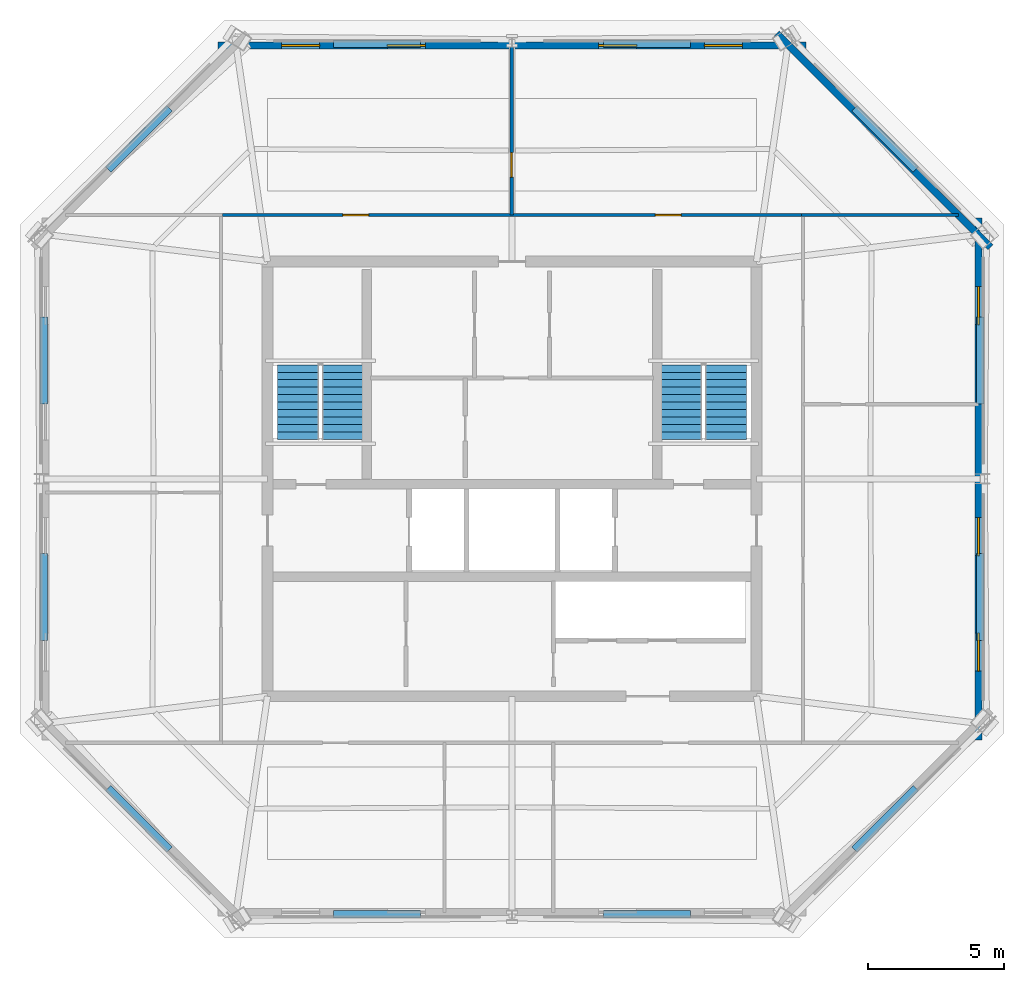
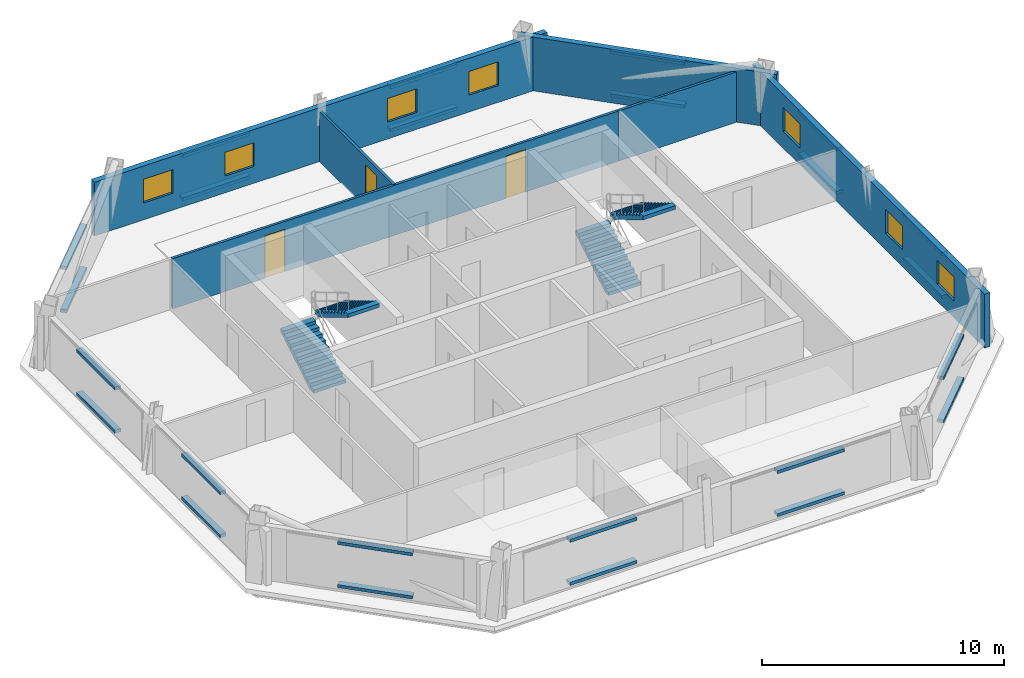
# One storey, part 4 of 5: 24 discrete accessories, 7 windows, 6 walls, 4 stair flights, 3 doors, 10 openings, 2 elements without a shape of their own.
"""IFC4 building model written with IfcOpenShell, lengths in metres."""

from ifc_helpers import new_model, si_unit, direction, frame, frame_2d, origin, origin_2d, place, context, subcontext, project, spatial, polyline, rectangle, outline, extrude, material, layer, layer_set, type_object, element, fill, aggregate, save


model = new_model("IFC4")

# Units and contexts
model_context = context("Model", 3, precision=1e-05, world=origin(), true_north=direction((0.0, 1.0)))
body_context = subcontext(model_context, "Body", "Model", "MODEL_VIEW")
ifc_project = project(units=[si_unit("LENGTHUNIT", "METRE"), si_unit("AREAUNIT", "SQUARE_METRE"), si_unit("VOLUMEUNIT", "CUBIC_METRE"), si_unit("PLANEANGLEUNIT", "RADIAN"), si_unit("MASSUNIT", "GRAM", prefix="KILO")], contexts=[model_context])

# Site, building, storey
site_placement = place(None, origin())
site = spatial("IfcSite", under=ifc_project, at=site_placement, CompositionType="ELEMENT")
building_placement = place(site_placement, origin())
building = spatial("IfcBuilding", under=site, at=building_placement, Name="Caelvoria Tower", CompositionType="ELEMENT")
storey_placement = place(building_placement, frame((0.0, 0.0, 275.39990234375)))
storey = spatial("IfcBuildingStorey", under=building, at=storey_placement, Name="L73", CompositionType="ELEMENT", Elevation=275.39990234375)

# Wall, opening, door
ifc_material_1 = material(Name="Acoustic Gypsum Board on Light-Gauge Stud", Category="gypsum")
ifc_layer_1 = layer(ifc_material_1, 0.1201171875, Name="Acoustic Gypsum Board on Light-Gauge Stud")
ifc_layer_set_1 = layer_set([ifc_layer_1], Name="Tenant Suite Acoustic Partition Wall 120 - Acoustic Gypsum Board on Light-Gauge Stud")
wall_type_1 = type_object("IfcWallType", Name="Tenant Suite Acoustic Partition Wall 120", PredefinedType="PARTITIONING", material=ifc_layer_set_1)
wall_1_placement = place(storey_placement, frame((45.9873046875, 41.7099609375, 0.0), z_axis=(0.0, 0.0, 1.0), x_axis=(0.0, 1.0, 0.0)))
wall_1 = element("IfcWall", 1, at=wall_1_placement, inside=storey, type_object=wall_type_1, Name="Interior Partition IW-L73-ND-00-0", PredefinedType="PARTITIONING", context=body_context, shape_type="SweptSolid", body=[
    extrude(rectangle(XDim=6.240966796875, YDim=0.1201171875, at=frame_2d((3.12060546875, 0.0))), origin(), (0.0, 0.0, 1.0), 2.5400390625),
])
opening_1_placement = place(wall_1_placement, frame((1.39990234375, 0.0, 0.0)))
opening_1 = element("IfcOpeningElement", 2, at=opening_1_placement, cuts=wall_1, Name="Opening ID-06", PredefinedType="OPENING", context=body_context, shape_type="SweptSolid", body=[
    extrude(rectangle(XDim=0.89990234375, YDim=2.14990234375, at=frame_2d((0.449951171875, 1.074951171875))), frame((0.0, 0.070068359375, 0.0), z_axis=(0.0, -1.0, 0.0), x_axis=(1.0, 0.0, 0.0)), (0.0, 0.0, 1.0), 0.14013671875),
])
ifc_material_2 = material(Name="Engineered Andean Oak Veneer Door", Category="wood")
door_type_1 = type_object("IfcDoorType", Name="Interior Timber Door 900x2150", OperationType="NOTDEFINED", PredefinedType="DOOR", material=ifc_material_2)
door_1_placement = place(opening_1_placement, origin())
door_1 = element("IfcDoor", 3, at=door_1_placement, inside=storey, type_object=door_type_1, Name="Interior Door DR-L73-NM-00-0", OperationType="SINGLE_SWING_RIGHT", OverallHeight=2.14990234375, OverallWidth=0.89990234375, PredefinedType="DOOR", context=body_context, shape_type="SweptSolid", body=[
    extrude(rectangle(XDim=0.89990234375, YDim=2.14990234375, at=frame_2d((0.449951171875, 1.074951171875))), frame((0.0, 0.02490234375, 0.0), z_axis=(0.0, -1.0, 0.0), x_axis=(1.0, 0.0, 0.0)), (0.0, 0.0, 1.0), 0.050048828125),
])
fill(opening_1, door_1)

# Wall, openings, doors
wall_2_placement = place(storey_placement, frame((35.35009765625, 41.7099609375, 0.0), z_axis=(0.0, 0.0, 1.0), x_axis=(1.0, 0.0, 0.0)))
wall_2 = element("IfcWall", 4, at=wall_2_placement, inside=storey, type_object=wall_type_1, Name="Interior Partition IW-L73-NCW-0", PredefinedType="PARTITIONING", context=body_context, shape_type="SweptSolid", body=[
    extrude(rectangle(XDim=21.2998046875, YDim=0.1201171875, at=frame_2d((10.64990234375, 0.0))), origin(), (0.0, 0.0, 1.0), 2.5400390625),
])
opening_2_placement = place(wall_2_placement, frame((4.425048828125, 0.0, 0.0)))
opening_2 = element("IfcOpeningElement", 5, at=opening_2_placement, cuts=wall_2, Name="Opening ID-05", PredefinedType="OPENING", context=body_context, shape_type="SweptSolid", body=[
    extrude(rectangle(XDim=0.949951171875, YDim=2.14990234375, at=frame_2d((0.47509765625, 1.074951171875))), frame((0.0, 0.070068359375, 0.0), z_axis=(0.0, -1.0, 0.0), x_axis=(1.0, 0.0, 0.0)), (0.0, 0.0, 1.0), 0.14013671875),
])
opening_3_placement = place(wall_2_placement, frame((15.925048828125, 0.0, 0.0)))
opening_3 = element("IfcOpeningElement", 6, at=opening_3_placement, cuts=wall_2, Name="Opening ID-05", PredefinedType="OPENING", context=body_context, shape_type="SweptSolid", body=[
    extrude(rectangle(XDim=0.949951171875, YDim=2.14990234375, at=frame_2d((0.47509765625, 1.074951171875))), frame((0.0, 0.070068359375, 0.0), z_axis=(0.0, -1.0, 0.0), x_axis=(1.0, 0.0, 0.0)), (0.0, 0.0, 1.0), 0.14013671875),
])
door_type_2 = type_object("IfcDoorType", Name="Interior Timber Door 950x2150", OperationType="NOTDEFINED", PredefinedType="DOOR", material=ifc_material_2)
door_2_placement = place(opening_2_placement, origin())
door_2 = element("IfcDoor", 7, at=door_2_placement, inside=storey, type_object=door_type_2, Name="Interior Door DR-L73-NC-00-0", OperationType="SINGLE_SWING_RIGHT", OverallHeight=2.14990234375, OverallWidth=0.949951171875, PredefinedType="DOOR", context=body_context, shape_type="SweptSolid", body=[
    extrude(rectangle(XDim=0.949951171875, YDim=2.14990234375, at=frame_2d((0.47509765625, 1.074951171875))), frame((0.0, 0.02490234375, 0.0), z_axis=(0.0, -1.0, 0.0), x_axis=(1.0, 0.0, 0.0)), (0.0, 0.0, 1.0), 0.050048828125),
])
fill(opening_2, door_2)
door_3_placement = place(opening_3_placement, origin())
door_3 = element("IfcDoor", 8, at=door_3_placement, inside=storey, type_object=door_type_2, Name="Interior Door DR-L73-NC-01-0", OperationType="SINGLE_SWING_LEFT", OverallHeight=2.14990234375, OverallWidth=0.949951171875, PredefinedType="DOOR", context=body_context, shape_type="SweptSolid", body=[
    extrude(rectangle(XDim=0.949951171875, YDim=2.14990234375, at=frame_2d((0.47509765625, 1.074951171875))), frame((0.0, 0.02490234375, 0.0), z_axis=(0.0, -1.0, 0.0), x_axis=(1.0, 0.0, 0.0)), (0.0, 0.0, 1.0), 0.050048828125),
])
fill(opening_3, door_3)

# Wall
wall_3_placement = place(storey_placement, frame((56.64990234375, 41.7099609375, 0.0), z_axis=(0.0, 0.0, 1.0), x_axis=(1.0, 0.0, 0.0)))
element("IfcWall", 9, at=wall_3_placement, inside=storey, type_object=wall_type_1, Name="Interior Partition IW-L73-BNE-0", PredefinedType="PARTITIONING", context=body_context, shape_type="SweptSolid", body=[
    extrude(rectangle(XDim=5.783447265625, YDim=0.1201171875, at=frame_2d((2.8916015625, 0.0))), origin(), (0.0, 0.0, 1.0), 2.5400390625),
])

# Wall, openings, windows
ifc_material_3 = material(Name="Precast Concrete C40/50 with Bronze Cladding", Category="concrete")
ifc_layer_2 = layer(ifc_material_3, 0.264892578125, Name="Precast Concrete C40/50 with Bronze Cladding")
ifc_layer_set_2 = layer_set([ifc_layer_2], Name="Upper Taper Precast Concrete C40/50 Bronze Facade Wall 265 - Precast Concrete C40/50 with Bronze Cladding")
wall_type_2 = type_object("IfcWallType", Name="Upper Taper Precast Concrete C40/50 Bronze Facade Wall 265", PredefinedType="STANDARD", material=ifc_layer_set_2)
wall_4_placement = place(storey_placement, frame((63.169189453125, 22.396484375, 0.0), z_axis=(0.0, 0.0, 1.0), x_axis=(0.0, 1.0, 0.0)))
wall_4 = element("IfcWall", 10, at=wall_4_placement, inside=storey, type_object=wall_type_2, Name="Exterior Facade Wall L73-E2", PredefinedType="STANDARD", context=body_context, shape_type="SweptSolid", body=[
    extrude(rectangle(XDim=19.20703125, YDim=0.264892578125, at=frame_2d((9.603515625, 0.0))), origin(), (0.0, 0.0, 1.0), 2.717041015625),
])
opening_4_placement = place(wall_4_placement, frame((2.52587890625, 0.0, 0.85009765625)))
opening_4 = element("IfcOpeningElement", 11, at=opening_4_placement, cuts=wall_4, Name="Opening WN-06", PredefinedType="OPENING", context=body_context, shape_type="SweptSolid", body=[
    extrude(rectangle(XDim=1.39990234375, YDim=1.199951171875, at=frame_2d((0.699951171875, 0.60009765625))), frame((0.0, 0.142333984375, 0.0), z_axis=(0.0, -1.0, 0.0), x_axis=(1.0, 0.0, 0.0)), (0.0, 0.0, 1.0), 0.284912109375),
])
opening_5_placement = place(wall_4_placement, frame((6.777587890625, 0.0, 0.85009765625)))
opening_5 = element("IfcOpeningElement", 12, at=opening_5_placement, cuts=wall_4, Name="Opening WN-06", PredefinedType="OPENING", context=body_context, shape_type="SweptSolid", body=[
    extrude(rectangle(XDim=1.39990234375, YDim=1.199951171875, at=frame_2d((0.699951171875, 0.60009765625))), frame((0.0, 0.142333984375, 0.0), z_axis=(0.0, -1.0, 0.0), x_axis=(1.0, 0.0, 0.0)), (0.0, 0.0, 1.0), 0.284912109375),
])
opening_6_placement = place(wall_4_placement, frame((15.28125, 0.0, 0.85009765625)))
opening_6 = element("IfcOpeningElement", 13, at=opening_6_placement, cuts=wall_4, Name="Opening WN-06", PredefinedType="OPENING", context=body_context, shape_type="SweptSolid", body=[
    extrude(rectangle(XDim=1.39990234375, YDim=1.199951171875, at=frame_2d((0.699951171875, 0.60009765625))), frame((0.0, 0.142333984375, 0.0), z_axis=(0.0, -1.0, 0.0), x_axis=(1.0, 0.0, 0.0)), (0.0, 0.0, 1.0), 0.284912109375),
])
ifc_material_4 = material(Name="Low-E Tinted Glass in Bronze Aluminium Frame", Category="aluminium")
window_type = type_object("IfcWindowType", Name="Podium Clerestory Window 1400x1200", PartitioningType="SINGLE_PANEL", PredefinedType="WINDOW", material=ifc_material_4)
window_1_placement = place(opening_4_placement, origin())
window_1 = element("IfcWindow", 14, at=window_1_placement, inside=storey, type_object=window_type, Name="Facade Window L73-E2-00", OverallHeight=1.199951171875, OverallWidth=1.39990234375, PartitioningType="SINGLE_PANEL", PredefinedType="WINDOW", context=body_context, shape_type="SweptSolid", body=[
    extrude(rectangle(XDim=1.39990234375, YDim=1.199951171875, at=frame_2d((0.699951171875, 0.60009765625))), frame((0.0, 0.030029296875, 0.0), z_axis=(0.0, -1.0, 0.0), x_axis=(1.0, 0.0, 0.0)), (0.0, 0.0, 1.0), 0.06005859375),
])
fill(opening_4, window_1)
window_2_placement = place(opening_5_placement, origin())
window_2 = element("IfcWindow", 15, at=window_2_placement, inside=storey, type_object=window_type, Name="Facade Window L73-E2-01", OverallHeight=1.199951171875, OverallWidth=1.39990234375, PartitioningType="SINGLE_PANEL", PredefinedType="WINDOW", context=body_context, shape_type="SweptSolid", body=[
    extrude(rectangle(XDim=1.39990234375, YDim=1.199951171875, at=frame_2d((0.699951171875, 0.60009765625))), frame((0.0, 0.030029296875, 0.0), z_axis=(0.0, -1.0, 0.0), x_axis=(1.0, 0.0, 0.0)), (0.0, 0.0, 1.0), 0.06005859375),
])
fill(opening_5, window_2)
window_3_placement = place(opening_6_placement, origin())
window_3 = element("IfcWindow", 16, at=window_3_placement, inside=storey, type_object=window_type, Name="Facade Window L73-E2-03", OverallHeight=1.199951171875, OverallWidth=1.39990234375, PartitioningType="SINGLE_PANEL", PredefinedType="WINDOW", context=body_context, shape_type="SweptSolid", body=[
    extrude(rectangle(XDim=1.39990234375, YDim=1.199951171875, at=frame_2d((0.699951171875, 0.60009765625))), frame((0.0, 0.030029296875, 0.0), z_axis=(0.0, -1.0, 0.0), x_axis=(1.0, 0.0, 0.0)), (0.0, 0.0, 1.0), 0.06005859375),
])
fill(opening_6, window_3)

# Wall
wall_5_placement = place(storey_placement, frame((63.614013671875, 40.529296875, 0.0), z_axis=(0.0, 0.0, 1.0), x_axis=(-0.707106781187, 0.707106781187, 0.0)))
element("IfcWall", 17, at=wall_5_placement, inside=storey, type_object=wall_type_2, Name="Exterior Facade Wall L73-E3", PredefinedType="STANDARD", context=body_context, shape_type="SweptSolid", body=[
    extrude(rectangle(XDim=11.125244140625, YDim=0.264892578125, at=frame_2d((5.5625, 0.0))), origin(), (0.0, 0.0, 1.0), 2.717041015625),
])

# Wall, openings, windows
wall_6_placement = place(storey_placement, frame((56.82177734375, 47.950927734375, 0.0), z_axis=(0.0, 0.0, 1.0), x_axis=(-1.0, 0.0, 0.0)))
wall_6 = element("IfcWall", 18, at=wall_6_placement, inside=storey, type_object=wall_type_2, Name="Exterior Facade Wall L73-E4", PredefinedType="STANDARD", context=body_context, shape_type="SweptSolid", body=[
    extrude(rectangle(XDim=21.6435546875, YDim=0.264892578125, at=frame_2d((10.82177734375, 0.0))), origin(), (0.0, 0.0, 1.0), 2.717041015625),
])
opening_7_placement = place(wall_6_placement, frame((2.344482421875, 0.0, 0.85009765625)))
opening_7 = element("IfcOpeningElement", 19, at=opening_7_placement, cuts=wall_6, Name="Opening WN-06", PredefinedType="OPENING", context=body_context, shape_type="SweptSolid", body=[
    extrude(rectangle(XDim=1.39990234375, YDim=1.199951171875, at=frame_2d((0.699951171875, 0.60009765625))), frame((0.0, 0.142333984375, 0.0), z_axis=(0.0, -1.0, 0.0), x_axis=(1.0, 0.0, 0.0)), (0.0, 0.0, 1.0), 0.284912109375),
])
opening_8_placement = place(wall_6_placement, frame((6.233154296875, 0.0, 0.85009765625)))
opening_8 = element("IfcOpeningElement", 20, at=opening_8_placement, cuts=wall_6, Name="Opening WN-06", PredefinedType="OPENING", context=body_context, shape_type="SweptSolid", body=[
    extrude(rectangle(XDim=1.39990234375, YDim=1.199951171875, at=frame_2d((0.699951171875, 0.60009765625))), frame((0.0, 0.142333984375, 0.0), z_axis=(0.0, -1.0, 0.0), x_axis=(1.0, 0.0, 0.0)), (0.0, 0.0, 1.0), 0.284912109375),
])
opening_9_placement = place(wall_6_placement, frame((14.010498046875, 0.0, 0.85009765625)))
opening_9 = element("IfcOpeningElement", 21, at=opening_9_placement, cuts=wall_6, Name="Opening WN-06", PredefinedType="OPENING", context=body_context, shape_type="SweptSolid", body=[
    extrude(rectangle(XDim=1.39990234375, YDim=1.199951171875, at=frame_2d((0.699951171875, 0.60009765625))), frame((0.0, 0.142333984375, 0.0), z_axis=(0.0, -1.0, 0.0), x_axis=(1.0, 0.0, 0.0)), (0.0, 0.0, 1.0), 0.284912109375),
])
opening_10_placement = place(wall_6_placement, frame((17.899169921875, 0.0, 0.85009765625)))
opening_10 = element("IfcOpeningElement", 22, at=opening_10_placement, cuts=wall_6, Name="Opening WN-06", PredefinedType="OPENING", context=body_context, shape_type="SweptSolid", body=[
    extrude(rectangle(XDim=1.39990234375, YDim=1.199951171875, at=frame_2d((0.699951171875, 0.60009765625))), frame((0.0, 0.142333984375, 0.0), z_axis=(0.0, -1.0, 0.0), x_axis=(1.0, 0.0, 0.0)), (0.0, 0.0, 1.0), 0.284912109375),
])
window_4_placement = place(opening_7_placement, origin())
window_4 = element("IfcWindow", 23, at=window_4_placement, inside=storey, type_object=window_type, Name="Facade Window L73-E4-00", OverallHeight=1.199951171875, OverallWidth=1.39990234375, PartitioningType="SINGLE_PANEL", PredefinedType="WINDOW", context=body_context, shape_type="SweptSolid", body=[
    extrude(rectangle(XDim=1.39990234375, YDim=1.199951171875, at=frame_2d((0.699951171875, 0.60009765625))), frame((0.0, 0.030029296875, 0.0), z_axis=(0.0, -1.0, 0.0), x_axis=(1.0, 0.0, 0.0)), (0.0, 0.0, 1.0), 0.06005859375),
])
fill(opening_7, window_4)
window_5_placement = place(opening_8_placement, origin())
window_5 = element("IfcWindow", 24, at=window_5_placement, inside=storey, type_object=window_type, Name="Facade Window L73-E4-01", OverallHeight=1.199951171875, OverallWidth=1.39990234375, PartitioningType="SINGLE_PANEL", PredefinedType="WINDOW", context=body_context, shape_type="SweptSolid", body=[
    extrude(rectangle(XDim=1.39990234375, YDim=1.199951171875, at=frame_2d((0.699951171875, 0.60009765625))), frame((0.0, 0.030029296875, 0.0), z_axis=(0.0, -1.0, 0.0), x_axis=(1.0, 0.0, 0.0)), (0.0, 0.0, 1.0), 0.06005859375),
])
fill(opening_8, window_5)
window_6_placement = place(opening_9_placement, origin())
window_6 = element("IfcWindow", 25, at=window_6_placement, inside=storey, type_object=window_type, Name="Facade Window L73-E4-03", OverallHeight=1.199951171875, OverallWidth=1.39990234375, PartitioningType="SINGLE_PANEL", PredefinedType="WINDOW", context=body_context, shape_type="SweptSolid", body=[
    extrude(rectangle(XDim=1.39990234375, YDim=1.199951171875, at=frame_2d((0.699951171875, 0.60009765625))), frame((0.0, 0.030029296875, 0.0), z_axis=(0.0, -1.0, 0.0), x_axis=(1.0, 0.0, 0.0)), (0.0, 0.0, 1.0), 0.06005859375),
])
fill(opening_9, window_6)
window_7_placement = place(opening_10_placement, origin())
window_7 = element("IfcWindow", 26, at=window_7_placement, inside=storey, type_object=window_type, Name="Facade Window L73-E4-04", OverallHeight=1.199951171875, OverallWidth=1.39990234375, PartitioningType="SINGLE_PANEL", PredefinedType="WINDOW", context=body_context, shape_type="SweptSolid", body=[
    extrude(rectangle(XDim=1.39990234375, YDim=1.199951171875, at=frame_2d((0.699951171875, 0.60009765625))), frame((0.0, 0.030029296875, 0.0), z_axis=(0.0, -1.0, 0.0), x_axis=(1.0, 0.0, 0.0)), (0.0, 0.0, 1.0), 0.06005859375),
])
fill(opening_10, window_7)

# Stair, stair flights
ifc_material_5 = material(Name="Concrete C40/50", Category="concrete")
stair_type = type_object("IfcStairType", Name="Core Smokeproof Dogleg Stair Concrete C40/50", PredefinedType="HALF_TURN_STAIR", material=ifc_material_5)
stair_1_placement = place(storey_placement, origin())
stair_1 = element("IfcStair", 27, at=stair_1_placement, inside=storey, type_object=stair_type, Name="ST-01 Smokeproof Exit Stair L73", PredefinedType="HALF_TURN_STAIR")
ifc_material_6 = material(Name="Precast Concrete C40/50", Category="concrete")
stair_flight_type = type_object("IfcStairFlightType", Name="Precast Concrete C40/50 Stair Flight 1480", PredefinedType="STRAIGHT", material=ifc_material_6)
stair_flight_1_placement = place(storey_placement, frame((38.1298828125, 33.449951171875, 0.0), z_axis=(0.0, 0.0, 1.0), x_axis=(0.0, 1.0, 0.0)))
stair_flight_1 = element("IfcStairFlight", 28, at=stair_flight_1_placement, type_object=stair_flight_type, Name="ST-01 flight 1", NumberOfRisers=11, NumberOfTreads=10, PredefinedType="STRAIGHT", RiserHeight=0.1636, TreadLength=0.275, context=body_context, shape_type="SweptSolid", body=[
    extrude(outline(polyline([(0.0, 0.0), (0.0, 0.16357421875), (0.27490234375, 0.16357421875), (0.27490234375, 0.3271484375), (0.550048828125, 0.3271484375), (0.550048828125, 0.49072265625), (0.824951171875, 0.49072265625), (0.824951171875, 0.654296875), (1.10009765625, 0.654296875), (1.10009765625, 0.818115234375), (1.375, 0.818115234375), (1.375, 0.981689453125), (1.64990234375, 0.981689453125), (1.64990234375, 1.145263671875), (1.925048828125, 1.145263671875), (1.925048828125, 1.308837890625), (2.199951171875, 1.308837890625), (2.199951171875, 1.472412109375), (2.47509765625, 1.472412109375), (2.47509765625, 1.635986328125), (2.75, 1.635986328125), (2.75, 1.799560546875), (2.75, 1.449951171875), (0.312744140625, 0.0), (0.0, 0.0)])), frame((0.0, 0.77001953125, 0.0), z_axis=(0.0, -1.0, 0.0), x_axis=(1.0, 0.0, 0.0)), (0.0, 0.0, 1.0), 1.5400390625),
])
stair_flight_2_placement = place(storey_placement, frame((39.77001953125, 36.199951171875, 1.800048828125), z_axis=(0.0, 0.0, 1.0), x_axis=(0.0, -1.0, 0.0)))
stair_flight_2 = element("IfcStairFlight", 29, at=stair_flight_2_placement, type_object=stair_flight_type, Name="ST-01 flight 2", NumberOfRisers=11, NumberOfTreads=10, PredefinedType="STRAIGHT", RiserHeight=0.1636, TreadLength=0.275, context=body_context, shape_type="SweptSolid", body=[
    extrude(outline(polyline([(0.0, 0.0), (0.0, 0.16357421875), (0.27490234375, 0.16357421875), (0.27490234375, 0.3271484375), (0.550048828125, 0.3271484375), (0.550048828125, 0.49072265625), (0.824951171875, 0.49072265625), (0.824951171875, 0.654296875), (1.10009765625, 0.654296875), (1.10009765625, 0.818115234375), (1.375, 0.818115234375), (1.375, 0.981689453125), (1.64990234375, 0.981689453125), (1.64990234375, 1.145263671875), (1.925048828125, 1.145263671875), (1.925048828125, 1.308837890625), (2.199951171875, 1.308837890625), (2.199951171875, 1.472412109375), (2.47509765625, 1.472412109375), (2.47509765625, 1.635986328125), (2.75, 1.635986328125), (2.75, 1.799560546875), (2.75, 1.449951171875), (0.312744140625, 0.0), (0.0, 0.0)])), frame((0.0, 0.77001953125, 0.0), z_axis=(0.0, -1.0, 0.0), x_axis=(1.0, 0.0, 0.0)), (0.0, 0.0, 1.0), 1.5400390625),
])
aggregate(stair_1, [stair_flight_1, stair_flight_2])

stair_2_placement = place(storey_placement, origin())
stair_2 = element("IfcStair", 30, at=stair_2_placement, inside=storey, type_object=stair_type, Name="ST-02 Smokeproof Exit Stair L73", PredefinedType="HALF_TURN_STAIR")
stair_flight_3_placement = place(storey_placement, frame((52.22998046875, 33.449951171875, 0.0), z_axis=(0.0, 0.0, 1.0), x_axis=(0.0, 1.0, 0.0)))
stair_flight_3 = element("IfcStairFlight", 31, at=stair_flight_3_placement, type_object=stair_flight_type, Name="ST-02 flight 1", NumberOfRisers=11, NumberOfTreads=10, PredefinedType="STRAIGHT", RiserHeight=0.1636, TreadLength=0.275, context=body_context, shape_type="SweptSolid", body=[
    extrude(outline(polyline([(0.0, 0.0), (0.0, 0.16357421875), (0.27490234375, 0.16357421875), (0.27490234375, 0.3271484375), (0.550048828125, 0.3271484375), (0.550048828125, 0.49072265625), (0.824951171875, 0.49072265625), (0.824951171875, 0.654296875), (1.10009765625, 0.654296875), (1.10009765625, 0.818115234375), (1.375, 0.818115234375), (1.375, 0.981689453125), (1.64990234375, 0.981689453125), (1.64990234375, 1.145263671875), (1.925048828125, 1.145263671875), (1.925048828125, 1.308837890625), (2.199951171875, 1.308837890625), (2.199951171875, 1.472412109375), (2.47509765625, 1.472412109375), (2.47509765625, 1.635986328125), (2.75, 1.635986328125), (2.75, 1.799560546875), (2.75, 1.449951171875), (0.312744140625, 0.0), (0.0, 0.0)])), frame((0.0, 0.77001953125, 0.0), z_axis=(0.0, -1.0, 0.0), x_axis=(1.0, 0.0, 0.0)), (0.0, 0.0, 1.0), 1.5400390625),
])
stair_flight_4_placement = place(storey_placement, frame((53.8701171875, 36.199951171875, 1.800048828125), z_axis=(0.0, 0.0, 1.0), x_axis=(0.0, -1.0, 0.0)))
stair_flight_4 = element("IfcStairFlight", 32, at=stair_flight_4_placement, type_object=stair_flight_type, Name="ST-02 flight 2", NumberOfRisers=11, NumberOfTreads=10, PredefinedType="STRAIGHT", RiserHeight=0.1636, TreadLength=0.275, context=body_context, shape_type="SweptSolid", body=[
    extrude(outline(polyline([(0.0, 0.0), (0.0, 0.16357421875), (0.27490234375, 0.16357421875), (0.27490234375, 0.3271484375), (0.550048828125, 0.3271484375), (0.550048828125, 0.49072265625), (0.824951171875, 0.49072265625), (0.824951171875, 0.654296875), (1.10009765625, 0.654296875), (1.10009765625, 0.818115234375), (1.375, 0.818115234375), (1.375, 0.981689453125), (1.64990234375, 0.981689453125), (1.64990234375, 1.145263671875), (1.925048828125, 1.145263671875), (1.925048828125, 1.308837890625), (2.199951171875, 1.308837890625), (2.199951171875, 1.472412109375), (2.47509765625, 1.472412109375), (2.47509765625, 1.635986328125), (2.75, 1.635986328125), (2.75, 1.799560546875), (2.75, 1.449951171875), (0.312744140625, 0.0), (0.0, 0.0)])), frame((0.0, 0.77001953125, 0.0), z_axis=(0.0, -1.0, 0.0), x_axis=(1.0, 0.0, 0.0)), (0.0, 0.0, 1.0), 1.5400390625),
])
aggregate(stair_2, [stair_flight_3, stair_flight_4])

# Discrete accessories
ifc_material_7 = material(Name="Anodised Bronze Stainless Bracket", Category="bronze")
discrete_accessory_type = type_object("IfcDiscreteAccessoryType", Name="Solar Screen Outrigger Support Bracket", PredefinedType="BRACKET", material=ifc_material_7)
for number, where, z_axis, x_axis, name in (
    (33, (41.0390625, 15.976318359375, 0.240234375), (0.0, 0.0, 1.0), (1.0, 0.0, 0.0), "Solar Screen Bracket L73-E0-00"),
    (34, (41.0390625, 15.976318359375, 2.4169921875), (0.0, 0.0, 1.0), (1.0, 0.0, 0.0), "Upper Screen Band Bracket L73-E0-00"),
    (35, (50.9609375, 15.976318359375, 0.240234375), (0.0, 0.0, 1.0), (1.0, 0.0, 0.0), "Solar Screen Bracket L73-E0-01"),
    (36, (50.9609375, 15.976318359375, 2.4169921875), (0.0, 0.0, 1.0), (1.0, 0.0, 0.0), "Upper Screen Band Bracket L73-E0-01"),
    (37, (59.732421875, 19.48583984375, 0.240234375), (0.0, 0.0, 1.0), (0.707106781187, 0.707106781187, 0.0), "Solar Screen Bracket L73-E1-00"),
    (38, (59.732421875, 19.48583984375, 2.4169921875), (0.0, 0.0, 1.0), (0.707106781187, 0.707106781187, 0.0), "Upper Screen Band Bracket L73-E1-00"),
    (39, (63.241943359375, 27.648193359375, 0.240234375), (0.0, 0.0, 1.0), (0.0, 1.0, 0.0), "Solar Screen Bracket L73-E2-00"),
    (40, (63.241943359375, 27.648193359375, 2.4169921875), (0.0, 0.0, 1.0), (0.0, 1.0, 0.0), "Upper Screen Band Bracket L73-E2-00"),
    (41, (63.241943359375, 36.351806640625, 0.240234375), (0.0, 0.0, 1.0), (0.0, 1.0, 0.0), "Solar Screen Bracket L73-E2-01"),
    (42, (63.241943359375, 36.351806640625, 2.4169921875), (0.0, 0.0, 1.0), (0.0, 1.0, 0.0), "Upper Screen Band Bracket L73-E2-01"),
    (43, (59.732421875, 44.51416015625, 0.240234375), (0.0, 0.0, 1.0), (-0.707106781187, 0.707106781187, 0.0), "Solar Screen Bracket L73-E3-00"),
    (44, (59.732421875, 44.51416015625, 2.4169921875), (0.0, 0.0, 1.0), (-0.707106781187, 0.707106781187, 0.0), "Upper Screen Band Bracket L73-E3-00"),
    (45, (50.9609375, 48.023681640625, 0.240234375), (0.0, 0.0, 1.0), (-1.0, 0.0, 0.0), "Solar Screen Bracket L73-E4-00"),
    (46, (50.9609375, 48.023681640625, 2.4169921875), (0.0, 0.0, 1.0), (-1.0, 0.0, 0.0), "Upper Screen Band Bracket L73-E4-00"),
    (47, (41.0390625, 48.023681640625, 0.240234375), (0.0, 0.0, 1.0), (-1.0, 0.0, 0.0), "Solar Screen Bracket L73-E4-01"),
    (48, (41.0390625, 48.023681640625, 2.4169921875), (0.0, 0.0, 1.0), (-1.0, 0.0, 0.0), "Upper Screen Band Bracket L73-E4-01"),
    (49, (32.267578125, 44.51416015625, 0.240234375), (0.0, 0.0, 1.0), (-0.707106781187, -0.707106781187, 0.0), "Solar Screen Bracket L73-E5-00"),
    (50, (32.267578125, 44.51416015625, 2.4169921875), (0.0, 0.0, 1.0), (-0.707106781187, -0.707106781187, 0.0), "Upper Screen Band Bracket L73-E5-00"),
    (51, (28.758056640625, 36.351806640625, 0.240234375), (0.0, 0.0, 1.0), (0.0, -1.0, 0.0), "Solar Screen Bracket L73-E6-00"),
    (52, (28.758056640625, 36.351806640625, 2.4169921875), (0.0, 0.0, 1.0), (0.0, -1.0, 0.0), "Upper Screen Band Bracket L73-E6-00"),
    (53, (28.758056640625, 27.648193359375, 0.240234375), (0.0, 0.0, 1.0), (0.0, -1.0, 0.0), "Solar Screen Bracket L73-E6-01"),
    (54, (28.758056640625, 27.648193359375, 2.4169921875), (0.0, 0.0, 1.0), (0.0, -1.0, 0.0), "Upper Screen Band Bracket L73-E6-01"),
    (55, (32.267578125, 19.48583984375, 0.240234375), (0.0, 0.0, 1.0), (0.707106781187, -0.707106781187, 0.0), "Solar Screen Bracket L73-E7-00"),
    (56, (32.267578125, 19.48583984375, 2.4169921875), (0.0, 0.0, 1.0), (0.707106781187, -0.707106781187, 0.0), "Upper Screen Band Bracket L73-E7-00"),
):
    element("IfcDiscreteAccessory", number, at=place(storey_placement, frame(where, z_axis=z_axis, x_axis=x_axis)), inside=storey, type_object=discrete_accessory_type, Name=name, PredefinedType="BRACKET", context=body_context, shape_type="SweptSolid", body=[
        extrude(rectangle(XDim=3.199951171875, YDim=0.280029296875, at=origin_2d()), origin(), (0.0, 0.0, 1.0), 0.159912109375),
    ])

save(model, "model.ifc")
